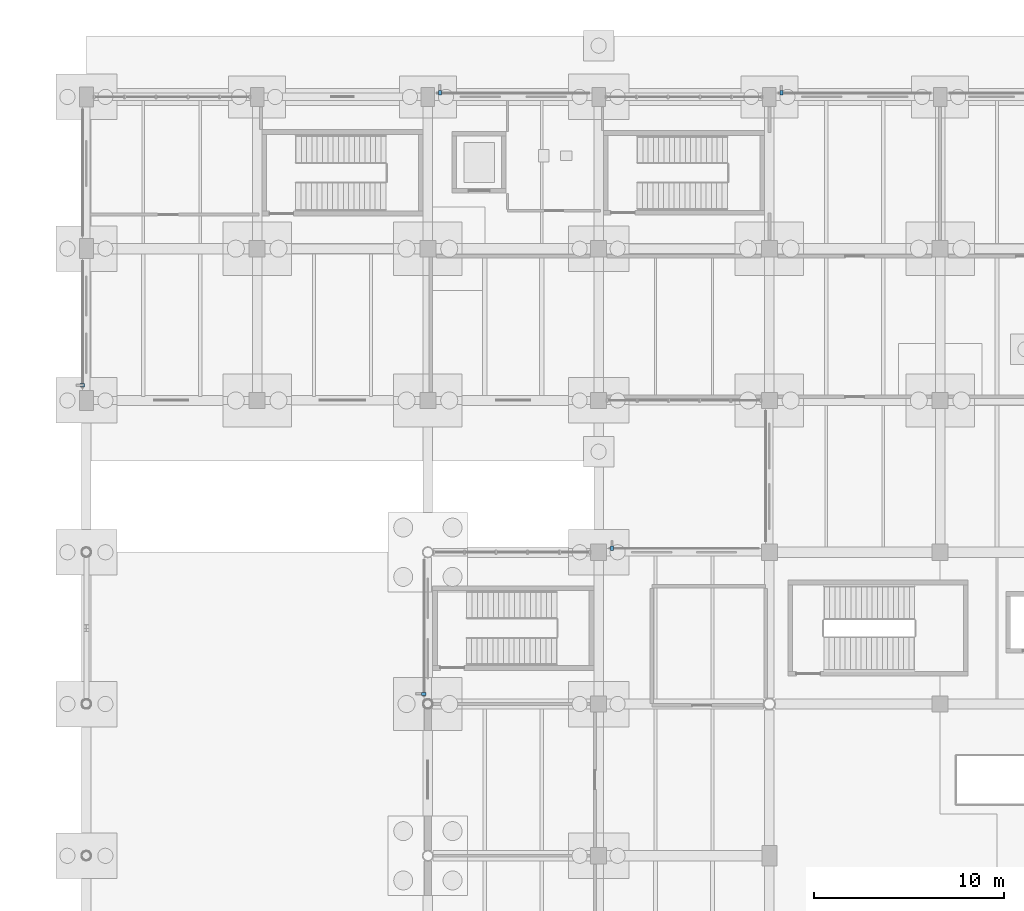
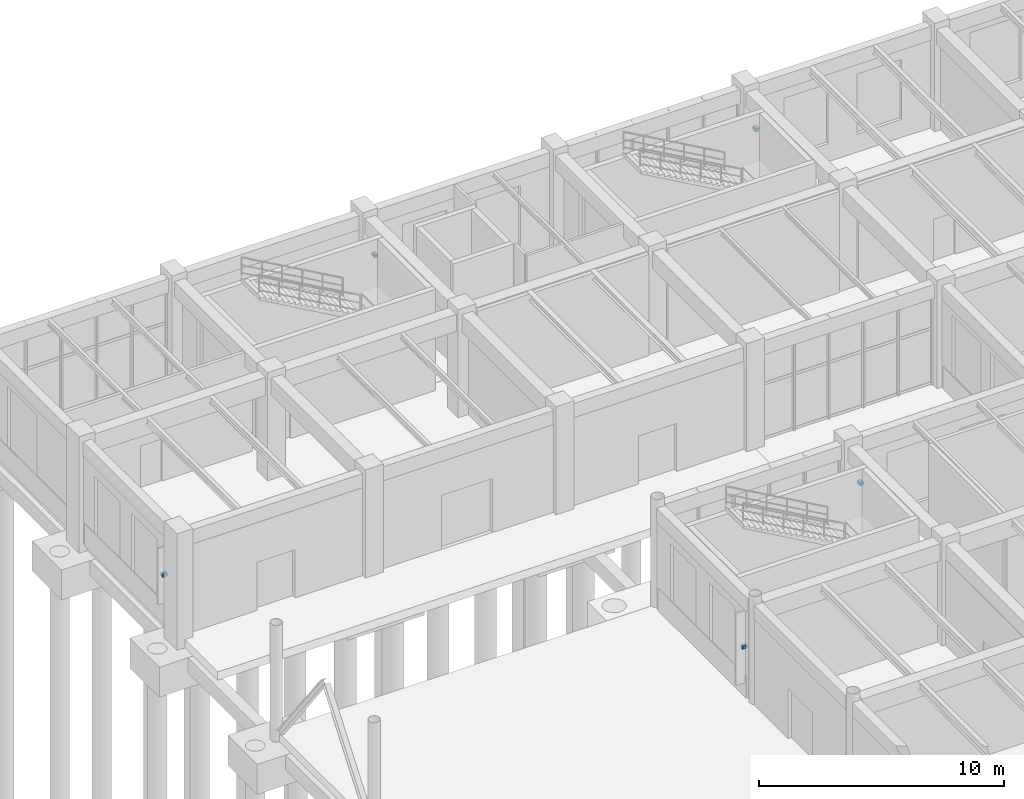
# One storey, part 106 of 121: 5 discrete accessories.
"""IFC4 building model written with IfcOpenShell, lengths in metres."""

from ifc_helpers import new_model, si_unit, derived_unit, direction, frame, origin, origin_2d, place, context, subcontext, project, spatial, rectangle, extrude, material, type_object, element, save


model = new_model("IFC4")

# Units and contexts
model_context = context("Model", 3, precision=1e-05, world=origin(), true_north=direction((0.0, 1.0)))
body_context = subcontext(model_context, "Body", "Model", "MODEL_VIEW")
ifc_project = project(units=[si_unit("LENGTHUNIT", "METRE"), si_unit("AREAUNIT", "SQUARE_METRE"), si_unit("VOLUMEUNIT", "CUBIC_METRE"), si_unit("PLANEANGLEUNIT", "RADIAN"), si_unit("MASSUNIT", "GRAM", prefix="KILO"), derived_unit("THERMALTRANSMITTANCEUNIT", [(si_unit("MASSUNIT", "GRAM", prefix="KILO"), 1), (si_unit("TIMEUNIT", "SECOND"), -3), (si_unit("THERMODYNAMICTEMPERATUREUNIT", "KELVIN"), -1)])], contexts=[model_context])

# Site, building, storey
site_placement = place(None, origin())
site = spatial("IfcSite", under=ifc_project, at=site_placement, CompositionType="ELEMENT")
building_placement = place(site_placement, origin())
building = spatial("IfcBuilding", under=site, at=building_placement, Name="Zhenchuan Archway Interchange", CompositionType="ELEMENT")
storey_placement = place(building_placement, origin())
storey = spatial("IfcBuildingStorey", under=building, at=storey_placement, Name="L00", CompositionType="ELEMENT", Elevation=0.0)

# Discrete accessories
ifc_material = material(Name="Stainless Steel 316", Category="steel")
discrete_accessory_type = type_object("IfcDiscreteAccessoryType", Name="BRK_SHD_1", PredefinedType="BRACKET", material=ifc_material)
for number, where, z_axis, x_axis, name in (
    (1, (17.780029296875, 80.531005859375, 2.419921875), (0.0, 0.0, 1.0), (0.0, 1.0, 0.0), "Solar fin stainless fixing bracket L00-002"),
    (2, (27.702880859375, 88.219970703125, 2.4501953125), (0.0, 0.0, 1.0), (1.0, 0.0, 0.0), "Solar fin stainless fixing bracket L00-003"),
    (3, (-0.219970703125, 96.802978515625, 2.4501953125), (0.0, 0.0, 1.0), (0.0, 1.0, 0.0), "Solar fin stainless fixing bracket L00-004"),
    (4, (18.6279296875, 112.219970703125, 2.4501953125), (0.0, 0.0, 1.0), (1.0, 0.0, 0.0), "Solar fin stainless fixing bracket L00-005"),
    (5, (36.6279296875, 112.219970703125, 2.4501953125), (0.0, 0.0, 1.0), (1.0, 0.0, 0.0), "Solar fin stainless fixing bracket L00-006"),
):
    element("IfcDiscreteAccessory", number, at=place(storey_placement, frame(where, z_axis=z_axis, x_axis=x_axis)), inside=storey, type_object=discrete_accessory_type, Name=name, PredefinedType="BRACKET", context=body_context, shape_type="SweptSolid", body=[
        extrude(rectangle(XDim=0.159912109375, YDim=0.239990234375, at=origin_2d()), origin(), (0.0, 0.0, 1.0), 0.159912109375),
    ])

save(model, "model.ifc")
